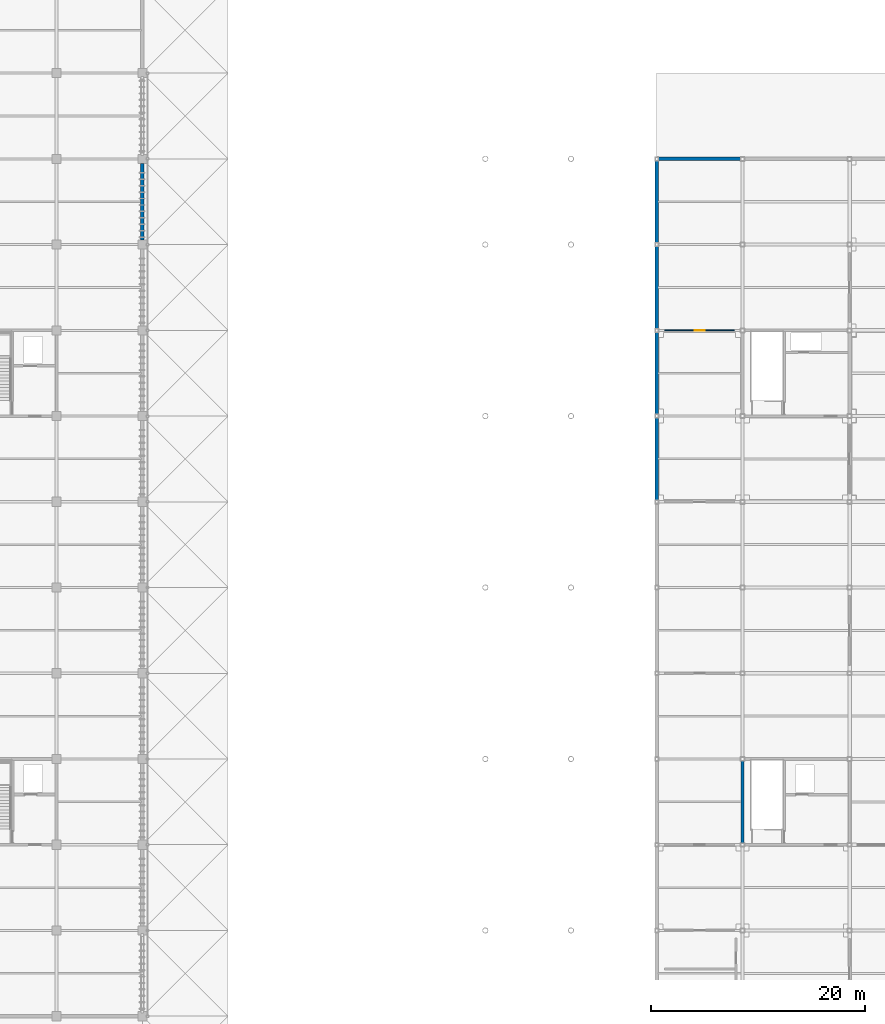
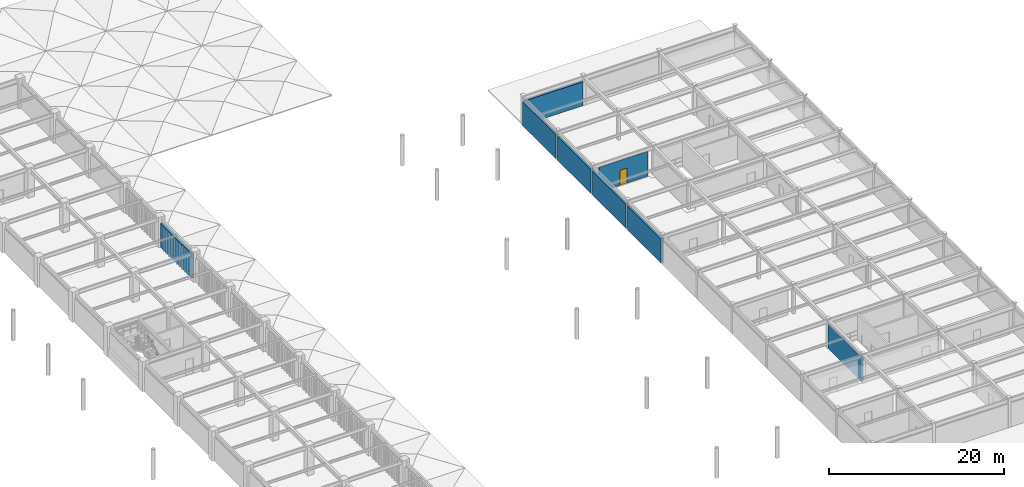
# One storey, part 58 of 78: 8 walls, 1 door, 1 opening.
"""IFC4 building model written with IfcOpenShell, lengths in metres."""

import ifcopenshell
import ifcopenshell.guid

model = None  # the IFC model being written
_history = None  # IfcOwnerHistory: only IFC2X3 demands one
_inside = {}  # id of a spatial element -> (the spatial element, [elements in it])
_under = {}  # id of a project, library or spatial element -> (it, [spatial elements below it])
_declared = {}  # id of a project -> (the project, [libraries it declares])
_typed = {}  # id of a type object -> (the type object, [elements of that type])
_made_of = {}  # id of a material, layer set ... -> (it, [elements and type objects made of it])


def new_model(schema):
    """Start an empty IFC model of exactly this schema.

    Asked for "IFC4X3", IfcOpenShell would pick the latest addendum, in which some entities
    have other attributes; the version numbers below select the first issue.
    IFC2X3 requires an IfcOwnerHistory on every rooted entity: one is made here for all.
    """
    global model, _history
    if schema == "IFC4X3":
        model = ifcopenshell.file(schema_version=(4, 3, 0, 0))
    else:
        model = ifcopenshell.file(schema=schema)
    _inside.clear()
    _under.clear()
    _declared.clear()
    _typed.clear()
    _made_of.clear()
    _history = None
    if model.schema == "IFC2X3":
        org = make("IfcOrganization", Name="unknown")
        user = make(
            "IfcPersonAndOrganization",
            ThePerson=make("IfcPerson", FamilyName="unknown"),
            TheOrganization=org,
        )
        app = make(
            "IfcApplication",
            ApplicationDeveloper=org,
            Version="unknown",
            ApplicationFullName="unknown",
            ApplicationIdentifier="unknown",
        )
        _history = make(
            "IfcOwnerHistory",
            OwningUser=user,
            OwningApplication=app,
            ChangeAction="ADDED",
            CreationDate=0,
        )
    return model


def make(cls, **values):
    """One entity of the class cls with the attributes given. An attribute that is None is left unset."""
    return model.create_entity(
        cls, **{name: value for name, value in values.items() if value is not None}
    )


def rooted(cls, **values):
    """An entity with a GlobalId (a new one), such as an element, a storey or a relation."""
    return make(cls, GlobalId=ifcopenshell.guid.new(), OwnerHistory=_history, **values)


def si_unit(unit_type, name, prefix=None):
    """IfcSIUnit, for example si_unit("LENGTHUNIT", "METRE", prefix="MILLI")."""
    return make("IfcSIUnit", UnitType=unit_type, Prefix=prefix, Name=name)


def assignment(units):
    """IfcUnitAssignment: the units of a project."""
    return None if units is None else make("IfcUnitAssignment", Units=units)


def point(xyz):
    """IfcCartesianPoint."""
    return None if xyz is None else make("IfcCartesianPoint", Coordinates=xyz)


def direction(xyz):
    """IfcDirection."""
    return None if xyz is None else make("IfcDirection", DirectionRatios=xyz)


def frame(location, z_axis=None, x_axis=None):
    """IfcAxis2Placement3D, a coordinate frame: its origin and axes. An axis left out is left unset."""
    return make(
        "IfcAxis2Placement3D",
        Location=point(location),
        Axis=direction(z_axis),
        RefDirection=direction(x_axis),
    )


def frame_2d(location, x_axis=None):
    """IfcAxis2Placement2D, a coordinate frame in the plane: its origin and x axis."""
    return make(
        "IfcAxis2Placement2D", Location=point(location), RefDirection=direction(x_axis)
    )


def origin():
    """The frame at (0, 0, 0) with its axes left unset."""
    return frame((0.0, 0.0, 0.0))


def place(relative_to, where):
    """IfcLocalPlacement: puts the frame where relative to a parent placement (None: the world)."""
    return make(
        "IfcLocalPlacement", PlacementRelTo=relative_to, RelativePlacement=where
    )


def context(
    kind, dimensions, precision=None, world=None, true_north=None, identifier=None
):
    """IfcGeometricRepresentationContext, for example the 3D "Model" context."""
    return make(
        "IfcGeometricRepresentationContext",
        ContextIdentifier=identifier,
        ContextType=kind,
        CoordinateSpaceDimension=dimensions,
        Precision=precision,
        WorldCoordinateSystem=world,
        TrueNorth=true_north,
    )


def subcontext(parent, identifier, kind, view, scale=None):
    """IfcGeometricRepresentationSubContext, for example "Body" below "Model"."""
    return make(
        "IfcGeometricRepresentationSubContext",
        ContextIdentifier=identifier,
        ContextType=kind,
        ParentContext=parent,
        TargetScale=scale,
        TargetView=view,
    )


def project(units=None, contexts=None):
    """IfcProject with its units and contexts."""
    return rooted(
        "IfcProject",
        Name="project",
        RepresentationContexts=contexts,
        UnitsInContext=assignment(units),
    )


def spatial(cls, under=None, at=None, **own):
    """A site, building, storey or space (cls), placed at a placement, below another one or the project."""
    s = rooted(cls, ObjectPlacement=at, **own)
    if under is not None:
        _under.setdefault(under.id(), (under, []))[1].append(s)
    return s


def profile(cls, at=None, kind="AREA", **sizes):
    """A parametric profile (cls). Its sizes go by their IFC names, for example OverallWidth=200.0."""
    return make(cls, ProfileType=kind, Position=at, **sizes)


def rectangle(**sizes):
    """IfcRectangleProfileDef."""
    return profile("IfcRectangleProfileDef", **sizes)


def extrude(swept, where, along, depth):
    """IfcExtrudedAreaSolid: the profile swept, set in the frame where, extruded along a direction by depth."""
    return make(
        "IfcExtrudedAreaSolid",
        SweptArea=swept,
        Position=where,
        ExtrudedDirection=direction(along),
        Depth=depth,
    )


def shape(context_of_items, identifier, shape_type, items):
    """IfcShapeRepresentation: the items that make up one representation, for example the "Body"."""
    return make(
        "IfcShapeRepresentation",
        ContextOfItems=context_of_items,
        RepresentationIdentifier=identifier,
        RepresentationType=shape_type,
        Items=items,
    )


def material(Name=None, Category=None):
    """IfcMaterial."""
    return make("IfcMaterial", Name=Name, Category=Category)


def layer(
    of_material, thickness, ventilated=None, Name=None, Category=None, Priority=None
):
    """IfcMaterialLayer: one layer of a wall or slab, of a material (None: an air gap)."""
    return make(
        "IfcMaterialLayer",
        Material=of_material,
        LayerThickness=thickness,
        IsVentilated=ventilated,
        Name=Name,
        Category=Category,
        Priority=Priority,
    )


def layer_set(layers, Name=None):
    """IfcMaterialLayerSet."""
    return make("IfcMaterialLayerSet", MaterialLayers=layers, LayerSetName=Name)


def made_of(thing, what):
    """Note that an element or type object is made of a material, layer set ...; save() writes the relation."""
    if what is not None:
        _made_of.setdefault(what.id(), (what, []))[1].append(thing)
    return thing


def type_object(cls, material=None, **own):
    """A type object (cls), such as IfcWallType, which elements share."""
    return made_of(rooted(cls, **own), material)


def element(
    cls,
    number,
    at=None,
    inside=None,
    cuts=None,
    type_object=None,
    material=None,
    context=None,
    identifier="Body",
    shape_type=None,
    held_by="IfcProductDefinitionShape",
    body=None,
    shapes=None,
    **own,
):
    """One element of the class cls, such as IfcWall. Its Tag is "e" and its number.

    at: its placement. inside: the storey or other place that contains it. cuts: it is an
    opening in that element (IfcRelVoidsElement). A single representation is given by context,
    identifier, shape_type and body (its items); several are given by shapes. held_by: the class
    of the entity that holds the representations. save() writes the other relations.
    """
    e = rooted(cls, Tag="e%d" % number, ObjectPlacement=at, **own)
    if body is not None:
        shapes = [shape(context, identifier, shape_type, body)]
    if shapes is not None:
        e.Representation = make(held_by, Representations=shapes)
    if inside is not None:
        _inside.setdefault(inside.id(), (inside, []))[1].append(e)
    if cuts is not None:
        rooted(
            "IfcRelVoidsElement", RelatingBuildingElement=cuts, RelatedOpeningElement=e
        )
    if type_object is not None:
        _typed.setdefault(type_object.id(), (type_object, []))[1].append(e)
    return made_of(e, material)


def fill(opening, filler):
    """IfcRelFillsElement: the door or window that sits in an opening."""
    return rooted(
        "IfcRelFillsElement",
        RelatingOpeningElement=opening,
        RelatedBuildingElement=filler,
    )


def aggregate(whole, parts):
    """IfcRelAggregates: a whole, such as a stair, and the parts it consists of."""
    return rooted("IfcRelAggregates", RelatingObject=whole, RelatedObjects=parts)


def save(model, path):
    """Write the relations noted so far, then the file.

    IfcRelAggregates (storeys below a building ...), IfcRelContainedInSpatialStructure (elements
    in a storey), IfcRelDefinesByType, IfcRelAssociatesMaterial and IfcRelDeclares: one each for
    every whole, place, type object, material and project.
    """
    for whole, parts in _under.values():
        aggregate(whole, parts)
    for where, things in _inside.values():
        rooted(
            "IfcRelContainedInSpatialStructure",
            RelatedElements=things,
            RelatingStructure=where,
        )
    for kind, things in _typed.values():
        rooted("IfcRelDefinesByType", RelatedObjects=things, RelatingType=kind)
    for what, things in _made_of.values():
        rooted("IfcRelAssociatesMaterial", RelatedObjects=things, RelatingMaterial=what)
    for by, libraries in _declared.values():
        rooted("IfcRelDeclares", RelatingContext=by, RelatedDefinitions=libraries)
    model.write(path)


model = new_model("IFC4")

# Units and contexts
model_context = context("Model", 3, precision=1e-05, world=origin(), true_north=direction((0.0, 1.0)))
body_context = subcontext(model_context, "Body", "Model", "MODEL_VIEW")
ifc_project = project(units=[si_unit("LENGTHUNIT", "METRE"), si_unit("AREAUNIT", "SQUARE_METRE"), si_unit("VOLUMEUNIT", "CUBIC_METRE"), si_unit("PLANEANGLEUNIT", "RADIAN"), si_unit("MASSUNIT", "GRAM", prefix="KILO")], contexts=[model_context])

# Site, building, storey
site_placement = place(None, origin())
site = spatial("IfcSite", under=ifc_project, at=site_placement, CompositionType="ELEMENT")
building_placement = place(site_placement, origin())
building = spatial("IfcBuilding", under=site, at=building_placement, Name="Haebicheon Civic Stadium", CompositionType="ELEMENT")
storey_placement = place(building_placement, frame((0.0, 0.0, 18.60009765625)))
storey = spatial("IfcBuildingStorey", under=building, at=storey_placement, Name="L05", CompositionType="ELEMENT", Elevation=18.60009765625)

# Walls
ifc_material_1 = material(Name="Concrete C40/50", Category="concrete")
ifc_layer_1 = layer(ifc_material_1, 0.239990234375, Name="Concrete C40/50")
ifc_layer_set_1 = layer_set([ifc_layer_1], Name="Concrete C40/50")
wall_type_1 = type_object("IfcWallType", Name="CW-SHR-240", PredefinedType="SHEAR", material=ifc_layer_set_1)
wall_1_placement = place(storey_placement, frame((216.0, 64.175048828125, 0.0), z_axis=(0.0, 0.0, 1.0), x_axis=(0.0, 1.0, 0.0)))
element("IfcWall", 1, at=wall_1_placement, inside=storey, type_object=wall_type_1, material=ifc_layer_set_1, Name="KC-12 L05 west core shear wall", PredefinedType="SHEAR", context=body_context, shape_type="SweptSolid", body=[
    extrude(rectangle(XDim=7.64990234375, YDim=0.239990234375, at=frame_2d((3.824951171875, 0.0))), origin(), (0.0, 0.0, 1.0), 3.369873046875),
])
ifc_material_2 = material(Name="Precast concrete C40/50", Category="concrete")
ifc_layer_2 = layer(ifc_material_2, 0.320068359375, Name="Precast concrete C40/50")
ifc_layer_set_2 = layer_set([ifc_layer_2], Name="Precast concrete C40/50")
wall_type_2 = type_object("IfcWallType", Name="EW-BM-320", PredefinedType="SOLIDWALL", material=ifc_layer_set_2)
wall_2_placement = place(storey_placement, frame((160.0, 120.425048828125, 0.0), z_axis=(0.0, 0.0, 1.0), x_axis=(0.0, 1.0, 0.0)))
element("IfcWall", 2, at=wall_2_placement, inside=storey, type_object=wall_type_2, material=ifc_layer_set_2, Name="L05 board-marked concrete facade wall 20-15-E", PredefinedType="SOLIDWALL", context=body_context, shape_type="SweptSolid", body=[
    extrude(rectangle(XDim=7.14990234375, YDim=0.320068359375, at=frame_2d((3.574951171875, 0.0))), origin(), (0.0, 0.0, 1.0), 3.33984375),
])
for number, where, z_axis, x_axis, name in (
    (3, (208.0, 96.175048828125, 0.0), (0.0, 0.0, 1.0), (0.0, 1.0, 0.0), "L05 board-marked concrete facade wall 26-12-W"),
    (4, (208.0, 104.175048828125, 0.0), (0.0, 0.0, 1.0), (0.0, 1.0, 0.0), "L05 board-marked concrete facade wall 26-13-W"),
    (5, (208.0, 112.175048828125, 0.0), (0.0, 0.0, 1.0), (0.0, 1.0, 0.0), "L05 board-marked concrete facade wall 26-14-W"),
    (6, (208.175048828125, 128.0, 0.0), (0.0, 0.0, 1.0), (1.0, 0.0, 0.0), "L05 board-marked concrete facade wall 26-16-N"),
    (7, (208.0, 120.175048828125, 0.0), (0.0, 0.0, 1.0), (0.0, 1.0, 0.0), "L05 board-marked concrete facade wall 26-15-W"),
):
    element("IfcWall", number, at=place(storey_placement, frame(where, z_axis=z_axis, x_axis=x_axis)), inside=storey, type_object=wall_type_2, material=ifc_layer_set_2, Name=name, PredefinedType="SOLIDWALL", context=body_context, shape_type="SweptSolid", body=[
        extrude(rectangle(XDim=7.64990234375, YDim=0.320068359375, at=frame_2d((3.824951171875, 0.0))), origin(), (0.0, 0.0, 1.0), 3.349853515625),
    ])

# Wall, opening, door
ifc_material_3 = material(Name="Anodised aluminium and laminated glass", Category="aluminium")
ifc_layer_3 = layer(ifc_material_3, 0.10009765625, Name="Anodised aluminium and laminated glass")
ifc_layer_set_3 = layer_set([ifc_layer_3], Name="Anodised aluminium and laminated glass")
wall_type_3 = type_object("IfcWallType", Name="IW-PRT-100", PredefinedType="PARTITIONING", material=ifc_layer_set_3)
wall_3_placement = place(storey_placement, frame((208.75, 112.0, 0.0), z_axis=(0.0, 0.0, 1.0), x_axis=(1.0, 0.0, 0.0)))
wall_3 = element("IfcWall", 8, at=wall_3_placement, inside=storey, type_object=wall_type_3, material=ifc_layer_set_3, Name="L05 Athletics Photo-Finish Control Room partition wall", PredefinedType="PARTITIONING", context=body_context, shape_type="SweptSolid", body=[
    extrude(rectangle(XDim=6.5, YDim=0.10009765625, at=frame_2d((3.25, 0.0))), origin(), (0.0, 0.0, 1.0), 3.469970703125),
])
opening_placement = place(wall_3_placement, frame((2.77490234375, 0.0, 0.0)))
opening = element("IfcOpeningElement", 9, at=opening_placement, cuts=wall_3, Name="Opening D-L05-441", PredefinedType="OPENING", context=body_context, shape_type="SweptSolid", body=[
    extrude(rectangle(XDim=0.949951171875, YDim=2.10009765625, at=frame_2d((0.47509765625, 1.050048828125))), frame((0.0, 0.06005859375, 0.0), z_axis=(0.0, -1.0, 0.0), x_axis=(1.0, 0.0, 0.0)), (0.0, 0.0, 1.0), 0.1201171875),
])
ifc_material_4 = material(Name="Engineered hardwood timber", Category="wood")
door_type = type_object("IfcDoorType", Name="ID-RM-0950", OperationType="NOTDEFINED", PredefinedType="DOOR", material=ifc_material_4)
door_placement = place(opening_placement, origin())
door = element("IfcDoor", 10, at=door_placement, inside=storey, type_object=door_type, material=ifc_material_4, Name="L05 Athletics Photo-Finish Control Room entrance door D-L05-441", OperationType="SINGLE_SWING_RIGHT", OverallHeight=2.10009765625, OverallWidth=0.949951171875, PredefinedType="DOOR", context=body_context, shape_type="SweptSolid", body=[
    extrude(rectangle(XDim=0.949951171875, YDim=2.10009765625, at=frame_2d((0.47509765625, 1.050048828125))), frame((0.0, 0.02490234375, 0.0), z_axis=(0.0, -1.0, 0.0), x_axis=(1.0, 0.0, 0.0)), (0.0, 0.0, 1.0), 0.050048828125),
])
fill(opening, door)

save(model, "model.ifc")
